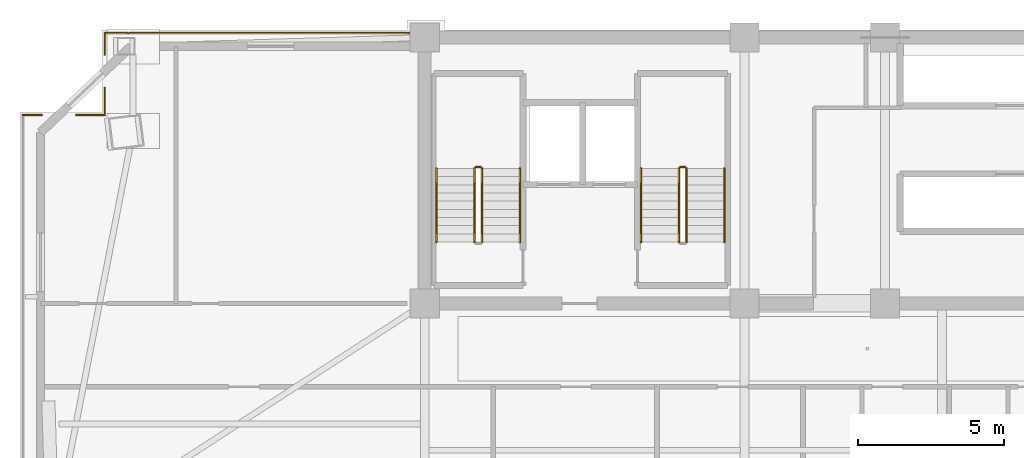
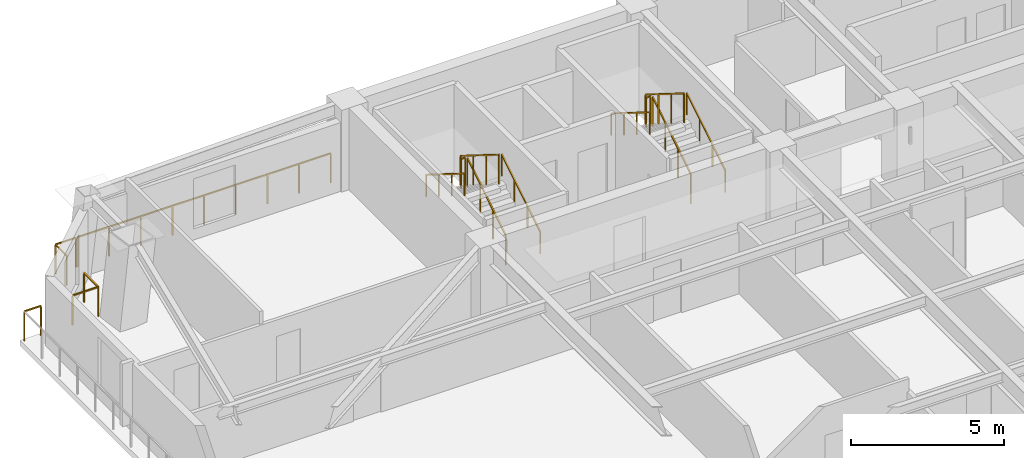
# One storey, part 15 of 16: 16 railings.
"""IFC4 building model written with IfcOpenShell, lengths in metres."""

from ifc_helpers import new_model, si_unit, direction, frame, origin, origin_2d, place, context, subcontext, project, spatial, rectangle, extrude, material, type_object, element, save


model = new_model("IFC4")

# Units and contexts
model_context = context("Model", 3, precision=1e-05, world=origin(), true_north=direction((0.0, 1.0)))
body_context = subcontext(model_context, "Body", "Model", "MODEL_VIEW")
ifc_project = project(units=[si_unit("LENGTHUNIT", "METRE"), si_unit("AREAUNIT", "SQUARE_METRE"), si_unit("VOLUMEUNIT", "CUBIC_METRE"), si_unit("PLANEANGLEUNIT", "RADIAN"), si_unit("MASSUNIT", "GRAM", prefix="KILO")], contexts=[model_context])

# Site, building, storey
site_placement = place(None, origin())
site = spatial("IfcSite", under=ifc_project, at=site_placement, CompositionType="ELEMENT")
building_placement = place(site_placement, origin())
building = spatial("IfcBuilding", under=site, at=building_placement, Name="Giltprow Tower", CompositionType="ELEMENT")
storey_placement = place(building_placement, frame((0.0, 0.0, 209.699951171875)))
storey = spatial("IfcBuildingStorey", under=building, at=storey_placement, Name="L53", CompositionType="ELEMENT", Elevation=209.699951171875)

# Railings
ifc_material = material(Name="Anodized bronze", Category="metal")
railing_type_1 = type_object("IfcRailingType", Name="RAIL-BALC-GUARD-1200", PredefinedType="BALUSTRADE", material=ifc_material)
railing_1_placement = place(storey_placement, frame((6.10302734375, 43.89990234375, 0.0)))
element("IfcRailing", 1, at=railing_1_placement, inside=storey, type_object=railing_type_1, Name="L53 Corner Apron Edge Balustrade 14", PredefinedType="BALUSTRADE", context=body_context, shape_type="SweptSolid", body=[
    extrude(rectangle(XDim=0.048095703125, YDim=0.048095703125, at=origin_2d()), frame((0.0, 0.0, 1.17578125), z_axis=(1.0, 0.0, 0.0), x_axis=(0.0, 1.0, 0.0)), (0.0, 0.0, 1.0), 0.635986328125),
    extrude(rectangle(XDim=0.0419921875, YDim=0.0419921875, at=origin_2d()), origin(), (0.0, 0.0, 1.0), 1.15185546875),
    extrude(rectangle(XDim=0.0419921875, YDim=0.0419921875, at=origin_2d()), frame((0.635986328125, 0.0, 0.0)), (0.0, 0.0, 1.0), 1.15185546875),
])
railing_2_placement = place(storey_placement, frame((7.927978515625, 43.89990234375, 0.0)))
element("IfcRailing", 2, at=railing_2_placement, inside=storey, type_object=railing_type_1, Name="L53 Corner Apron Edge Balustrade 15", PredefinedType="BALUSTRADE", context=body_context, shape_type="SweptSolid", body=[
    extrude(rectangle(XDim=0.048095703125, YDim=0.048095703125, at=origin_2d()), frame((0.0, 0.0, 1.17578125), z_axis=(1.0, 0.0, 0.0), x_axis=(0.0, 1.0, 0.0)), (0.0, 0.0, 1.0), 0.97509765625),
    extrude(rectangle(XDim=0.0419921875, YDim=0.0419921875, at=origin_2d()), origin(), (0.0, 0.0, 1.0), 1.15185546875),
    extrude(rectangle(XDim=0.0419921875, YDim=0.0419921875, at=origin_2d()), frame((0.97509765625, 0.0, 0.0)), (0.0, 0.0, 1.0), 1.15185546875),
])
railing_3_placement = place(storey_placement, frame((8.903076171875, 43.89990234375, 0.0)))
element("IfcRailing", 3, at=railing_3_placement, inside=storey, type_object=railing_type_1, Name="L53 Corner Apron Edge Balustrade 16", PredefinedType="BALUSTRADE", context=body_context, shape_type="SweptSolid", body=[
    extrude(rectangle(XDim=0.048095703125, YDim=0.048095703125, at=origin_2d()), frame((0.0, 0.0, 1.17578125), z_axis=(0.0, 1.0, 0.0), x_axis=(-1.0, 0.0, 0.0)), (0.0, 0.0, 1.0), 0.927978515625),
    extrude(rectangle(XDim=0.0419921875, YDim=0.0419921875, at=origin_2d()), origin(), (0.0, 0.0, 1.0), 1.15185546875),
    extrude(rectangle(XDim=0.0419921875, YDim=0.0419921875, at=origin_2d()), frame((0.0, 0.927978515625, 0.0)), (0.0, 0.0, 1.0), 1.15185546875),
])
railing_4_placement = place(storey_placement, frame((8.903076171875, 45.9599609375, 0.0)))
element("IfcRailing", 4, at=railing_4_placement, inside=storey, type_object=railing_type_1, Name="L53 Corner Apron Edge Balustrade 17", PredefinedType="BALUSTRADE", context=body_context, shape_type="SweptSolid", body=[
    extrude(rectangle(XDim=0.048095703125, YDim=0.048095703125, at=origin_2d()), frame((0.0, 0.0, 1.17578125), z_axis=(0.0, 1.0, 0.0), x_axis=(-1.0, 0.0, 0.0)), (0.0, 0.0, 1.0), 0.739990234375),
    extrude(rectangle(XDim=0.0419921875, YDim=0.0419921875, at=origin_2d()), origin(), (0.0, 0.0, 1.0), 1.15185546875),
    extrude(rectangle(XDim=0.0419921875, YDim=0.0419921875, at=origin_2d()), frame((0.0, 0.739990234375, 0.0)), (0.0, 0.0, 1.0), 1.15185546875),
])
railing_5_placement = place(storey_placement, frame((8.903076171875, 46.699951171875, 0.0)))
element("IfcRailing", 5, at=railing_5_placement, inside=storey, type_object=railing_type_1, Name="L53 Corner Apron Edge Balustrade 18", PredefinedType="BALUSTRADE", context=body_context, shape_type="SweptSolid", body=[
    extrude(rectangle(XDim=0.048095703125, YDim=0.048095703125, at=origin_2d()), frame((0.0, 0.0, 1.17578125), z_axis=(1.0, 0.0, 0.0), x_axis=(0.0, 1.0, 0.0)), (0.0, 0.0, 1.0), 0.77783203125),
    extrude(rectangle(XDim=0.0419921875, YDim=0.0419921875, at=origin_2d()), origin(), (0.0, 0.0, 1.0), 1.15185546875),
    extrude(rectangle(XDim=0.0419921875, YDim=0.0419921875, at=origin_2d()), frame((0.77783203125, 0.0, 0.0)), (0.0, 0.0, 1.0), 1.15185546875),
])
railing_6_placement = place(storey_placement, frame((9.73388671875, 46.699951171875, 0.0)))
element("IfcRailing", 6, at=railing_6_placement, inside=storey, type_object=railing_type_1, Name="L53 Corner Apron Edge Balustrade 19", PredefinedType="BALUSTRADE", context=body_context, shape_type="SweptSolid", body=[
    extrude(rectangle(XDim=0.048095703125, YDim=0.048095703125, at=origin_2d()), frame((0.0, 0.0, 1.17578125), z_axis=(1.0, 0.0, 0.0), x_axis=(0.0, 1.0, 0.0)), (0.0, 0.0, 1.0), 9.5810546875),
    extrude(rectangle(XDim=0.0419921875, YDim=0.0419921875, at=origin_2d()), origin(), (0.0, 0.0, 1.0), 1.15185546875),
    extrude(rectangle(XDim=0.0419921875, YDim=0.0419921875, at=origin_2d()), frame((1.19775390625, 0.0, 0.0)), (0.0, 0.0, 1.0), 1.15185546875),
    extrude(rectangle(XDim=0.0419921875, YDim=0.0419921875, at=origin_2d()), frame((2.395263671875, 0.0, 0.0)), (0.0, 0.0, 1.0), 1.15185546875),
    extrude(rectangle(XDim=0.0419921875, YDim=0.0419921875, at=origin_2d()), frame((3.5927734375, 0.0, 0.0)), (0.0, 0.0, 1.0), 1.15185546875),
    extrude(rectangle(XDim=0.0419921875, YDim=0.0419921875, at=origin_2d()), frame((4.79052734375, 0.0, 0.0)), (0.0, 0.0, 1.0), 1.15185546875),
    extrude(rectangle(XDim=0.0419921875, YDim=0.0419921875, at=origin_2d()), frame((5.98828125, 0.0, 0.0)), (0.0, 0.0, 1.0), 1.15185546875),
    extrude(rectangle(XDim=0.0419921875, YDim=0.0419921875, at=origin_2d()), frame((7.185791015625, 0.0, 0.0)), (0.0, 0.0, 1.0), 1.15185546875),
    extrude(rectangle(XDim=0.0419921875, YDim=0.0419921875, at=origin_2d()), frame((8.38330078125, 0.0, 0.0)), (0.0, 0.0, 1.0), 1.15185546875),
    extrude(rectangle(XDim=0.0419921875, YDim=0.0419921875, at=origin_2d()), frame((9.5810546875, 0.0, 0.0)), (0.0, 0.0, 1.0), 1.15185546875),
])
railing_type_2 = type_object("IfcRailingType", Name="RAIL-STAIR-GUARD-1200", PredefinedType="GUARDRAIL", material=ifc_material)
railing_7_placement = place(storey_placement, frame((21.81005859375, 39.550048828125, 0.175048828125)))
element("IfcRailing", 7, at=railing_7_placement, inside=storey, type_object=railing_type_2, Name="L53 ST-1 stair guard 1", PredefinedType="GUARDRAIL", context=body_context, shape_type="SweptSolid", body=[
    extrude(rectangle(XDim=0.048095703125, YDim=0.048095703125, at=origin_2d()), frame((0.0, 0.0, 1.17578125), z_axis=(0.0, 0.848007534815, 0.529984170421), x_axis=(-1.0, 0.0, 0.0)), (0.0, 0.0, 1.0), 2.9716796875),
    extrude(rectangle(XDim=0.0419921875, YDim=0.0419921875, at=origin_2d()), origin(), (0.0, 0.0, 1.0), 1.15185546875),
    extrude(rectangle(XDim=0.0419921875, YDim=0.0419921875, at=origin_2d()), frame((0.0, 0.840087890625, 0.52490234375)), (0.0, 0.0, 1.0), 1.15185546875),
    extrude(rectangle(XDim=0.0419921875, YDim=0.0419921875, at=origin_2d()), frame((0.0, 1.679931640625, 1.050048828125)), (0.0, 0.0, 1.0), 1.15185546875),
    extrude(rectangle(XDim=0.0419921875, YDim=0.0419921875, at=origin_2d()), frame((0.0, 2.52001953125, 1.574951171875)), (0.0, 0.0, 1.0), 1.15185546875),
])
railing_8_placement = place(storey_placement, frame((21.760009765625, 42.1201171875, 1.75)))
element("IfcRailing", 8, at=railing_8_placement, inside=storey, type_object=railing_type_2, Name="L53 ST-1 stair guard 2", PredefinedType="GUARDRAIL", context=body_context, shape_type="SweptSolid", body=[
    extrude(rectangle(XDim=0.048095703125, YDim=0.048095703125, at=origin_2d()), frame((0.0, 0.0, 1.17578125), z_axis=(-1.0, 0.0, 0.0), x_axis=(0.0, -1.0, 0.0)), (0.0, 0.0, 1.0), 0.159912109375),
    extrude(rectangle(XDim=0.0419921875, YDim=0.0419921875, at=origin_2d()), origin(), (0.0, 0.0, 1.0), 1.15185546875),
    extrude(rectangle(XDim=0.0419921875, YDim=0.0419921875, at=origin_2d()), frame((-0.159912109375, 0.0, 0.0)), (0.0, 0.0, 1.0), 1.15185546875),
])
railing_9_placement = place(storey_placement, frame((21.550048828125, 42.070068359375, 1.925048828125)))
element("IfcRailing", 9, at=railing_9_placement, inside=storey, type_object=railing_type_2, Name="L53 ST-1 stair guard 3", PredefinedType="GUARDRAIL", context=body_context, shape_type="SweptSolid", body=[
    extrude(rectangle(XDim=0.048095703125, YDim=0.048095703125, at=origin_2d()), frame((0.0, 0.0, 1.17578125), z_axis=(0.0, -0.848007534815, 0.529984170421), x_axis=(1.0, 0.0, 0.0)), (0.0, 0.0, 1.0), 2.9716796875),
    extrude(rectangle(XDim=0.0419921875, YDim=0.0419921875, at=origin_2d()), origin(), (0.0, 0.0, 1.0), 1.15185546875),
    extrude(rectangle(XDim=0.0419921875, YDim=0.0419921875, at=origin_2d()), frame((0.0, -0.840087890625, 0.52490234375)), (0.0, 0.0, 1.0), 1.15185546875),
    extrude(rectangle(XDim=0.0419921875, YDim=0.0419921875, at=origin_2d()), frame((0.0, -1.679931640625, 1.050048828125)), (0.0, 0.0, 1.0), 1.15185546875),
    extrude(rectangle(XDim=0.0419921875, YDim=0.0419921875, at=origin_2d()), frame((0.0, -2.52001953125, 1.574951171875)), (0.0, 0.0, 1.0), 1.15185546875),
])
railing_10_placement = place(storey_placement, frame((28.81005859375, 39.550048828125, 0.175048828125)))
element("IfcRailing", 10, at=railing_10_placement, inside=storey, type_object=railing_type_2, Name="L53 ST-2 stair guard 1", PredefinedType="GUARDRAIL", context=body_context, shape_type="SweptSolid", body=[
    extrude(rectangle(XDim=0.048095703125, YDim=0.048095703125, at=origin_2d()), frame((0.0, 0.0, 1.17578125), z_axis=(0.0, 0.848007534815, 0.529984170421), x_axis=(-1.0, 0.0, 0.0)), (0.0, 0.0, 1.0), 2.9716796875),
    extrude(rectangle(XDim=0.0419921875, YDim=0.0419921875, at=origin_2d()), origin(), (0.0, 0.0, 1.0), 1.15185546875),
    extrude(rectangle(XDim=0.0419921875, YDim=0.0419921875, at=origin_2d()), frame((0.0, 0.840087890625, 0.52490234375)), (0.0, 0.0, 1.0), 1.15185546875),
    extrude(rectangle(XDim=0.0419921875, YDim=0.0419921875, at=origin_2d()), frame((0.0, 1.679931640625, 1.050048828125)), (0.0, 0.0, 1.0), 1.15185546875),
    extrude(rectangle(XDim=0.0419921875, YDim=0.0419921875, at=origin_2d()), frame((0.0, 2.52001953125, 1.574951171875)), (0.0, 0.0, 1.0), 1.15185546875),
])
railing_11_placement = place(storey_placement, frame((28.760009765625, 42.1201171875, 1.75)))
element("IfcRailing", 11, at=railing_11_placement, inside=storey, type_object=railing_type_2, Name="L53 ST-2 stair guard 2", PredefinedType="GUARDRAIL", context=body_context, shape_type="SweptSolid", body=[
    extrude(rectangle(XDim=0.048095703125, YDim=0.048095703125, at=origin_2d()), frame((0.0, 0.0, 1.17578125), z_axis=(-1.0, 0.0, 0.0), x_axis=(0.0, -1.0, 0.0)), (0.0, 0.0, 1.0), 0.159912109375),
    extrude(rectangle(XDim=0.0419921875, YDim=0.0419921875, at=origin_2d()), origin(), (0.0, 0.0, 1.0), 1.15185546875),
    extrude(rectangle(XDim=0.0419921875, YDim=0.0419921875, at=origin_2d()), frame((-0.159912109375, 0.0, 0.0)), (0.0, 0.0, 1.0), 1.15185546875),
])
railing_12_placement = place(storey_placement, frame((28.550048828125, 42.070068359375, 1.925048828125)))
element("IfcRailing", 12, at=railing_12_placement, inside=storey, type_object=railing_type_2, Name="L53 ST-2 stair guard 3", PredefinedType="GUARDRAIL", context=body_context, shape_type="SweptSolid", body=[
    extrude(rectangle(XDim=0.048095703125, YDim=0.048095703125, at=origin_2d()), frame((0.0, 0.0, 1.17578125), z_axis=(0.0, -0.848007534815, 0.529984170421), x_axis=(1.0, 0.0, 0.0)), (0.0, 0.0, 1.0), 2.9716796875),
    extrude(rectangle(XDim=0.0419921875, YDim=0.0419921875, at=origin_2d()), origin(), (0.0, 0.0, 1.0), 1.15185546875),
    extrude(rectangle(XDim=0.0419921875, YDim=0.0419921875, at=origin_2d()), frame((0.0, -0.840087890625, 0.52490234375)), (0.0, 0.0, 1.0), 1.15185546875),
    extrude(rectangle(XDim=0.0419921875, YDim=0.0419921875, at=origin_2d()), frame((0.0, -1.679931640625, 1.050048828125)), (0.0, 0.0, 1.0), 1.15185546875),
    extrude(rectangle(XDim=0.0419921875, YDim=0.0419921875, at=origin_2d()), frame((0.0, -2.52001953125, 1.574951171875)), (0.0, 0.0, 1.0), 1.15185546875),
])
railing_type_3 = type_object("IfcRailingType", Name="RAIL-STAIR-HAND-900", PredefinedType="HANDRAIL", material=ifc_material)
railing_13_placement = place(storey_placement, frame((23.110107421875, 39.550048828125, 0.175048828125)))
element("IfcRailing", 13, at=railing_13_placement, inside=storey, type_object=railing_type_3, Name="L53 ST-1 stair handrail 1", PredefinedType="HANDRAIL", context=body_context, shape_type="SweptSolid", body=[
    extrude(rectangle(XDim=0.048095703125, YDim=0.048095703125, at=origin_2d()), frame((0.0, 0.0, 0.8759765625), z_axis=(0.0, 0.848007534815, 0.529984170421), x_axis=(-1.0, 0.0, 0.0)), (0.0, 0.0, 1.0), 2.9716796875),
    extrude(rectangle(XDim=0.0419921875, YDim=0.0419921875, at=origin_2d()), origin(), (0.0, 0.0, 1.0), 0.851806640625),
    extrude(rectangle(XDim=0.0419921875, YDim=0.0419921875, at=origin_2d()), frame((0.0, 0.840087890625, 0.52490234375)), (0.0, 0.0, 1.0), 0.851806640625),
    extrude(rectangle(XDim=0.0419921875, YDim=0.0419921875, at=origin_2d()), frame((0.0, 1.679931640625, 1.050048828125)), (0.0, 0.0, 1.0), 0.851806640625),
    extrude(rectangle(XDim=0.0419921875, YDim=0.0419921875, at=origin_2d()), frame((0.0, 2.52001953125, 1.574951171875)), (0.0, 0.0, 1.0), 0.851806640625),
])
railing_14_placement = place(storey_placement, frame((20.25, 42.070068359375, 1.925048828125)))
element("IfcRailing", 14, at=railing_14_placement, inside=storey, type_object=railing_type_3, Name="L53 ST-1 stair handrail 2", PredefinedType="HANDRAIL", context=body_context, shape_type="SweptSolid", body=[
    extrude(rectangle(XDim=0.048095703125, YDim=0.048095703125, at=origin_2d()), frame((0.0, 0.0, 0.8759765625), z_axis=(0.0, -0.848007534815, 0.529984170421), x_axis=(1.0, 0.0, 0.0)), (0.0, 0.0, 1.0), 2.9716796875),
    extrude(rectangle(XDim=0.0419921875, YDim=0.0419921875, at=origin_2d()), origin(), (0.0, 0.0, 1.0), 0.851806640625),
    extrude(rectangle(XDim=0.0419921875, YDim=0.0419921875, at=origin_2d()), frame((0.0, -0.840087890625, 0.52490234375)), (0.0, 0.0, 1.0), 0.851806640625),
    extrude(rectangle(XDim=0.0419921875, YDim=0.0419921875, at=origin_2d()), frame((0.0, -1.679931640625, 1.050048828125)), (0.0, 0.0, 1.0), 0.851806640625),
    extrude(rectangle(XDim=0.0419921875, YDim=0.0419921875, at=origin_2d()), frame((0.0, -2.52001953125, 1.574951171875)), (0.0, 0.0, 1.0), 0.851806640625),
])
railing_15_placement = place(storey_placement, frame((30.110107421875, 39.550048828125, 0.175048828125)))
element("IfcRailing", 15, at=railing_15_placement, inside=storey, type_object=railing_type_3, Name="L53 ST-2 stair handrail 1", PredefinedType="HANDRAIL", context=body_context, shape_type="SweptSolid", body=[
    extrude(rectangle(XDim=0.048095703125, YDim=0.048095703125, at=origin_2d()), frame((0.0, 0.0, 0.8759765625), z_axis=(0.0, 0.848007534815, 0.529984170421), x_axis=(-1.0, 0.0, 0.0)), (0.0, 0.0, 1.0), 2.9716796875),
    extrude(rectangle(XDim=0.0419921875, YDim=0.0419921875, at=origin_2d()), origin(), (0.0, 0.0, 1.0), 0.851806640625),
    extrude(rectangle(XDim=0.0419921875, YDim=0.0419921875, at=origin_2d()), frame((0.0, 0.840087890625, 0.52490234375)), (0.0, 0.0, 1.0), 0.851806640625),
    extrude(rectangle(XDim=0.0419921875, YDim=0.0419921875, at=origin_2d()), frame((0.0, 1.679931640625, 1.050048828125)), (0.0, 0.0, 1.0), 0.851806640625),
    extrude(rectangle(XDim=0.0419921875, YDim=0.0419921875, at=origin_2d()), frame((0.0, 2.52001953125, 1.574951171875)), (0.0, 0.0, 1.0), 0.851806640625),
])
railing_16_placement = place(storey_placement, frame((27.25, 42.070068359375, 1.925048828125)))
element("IfcRailing", 16, at=railing_16_placement, inside=storey, type_object=railing_type_3, Name="L53 ST-2 stair handrail 2", PredefinedType="HANDRAIL", context=body_context, shape_type="SweptSolid", body=[
    extrude(rectangle(XDim=0.048095703125, YDim=0.048095703125, at=origin_2d()), frame((0.0, 0.0, 0.8759765625), z_axis=(0.0, -0.848007534815, 0.529984170421), x_axis=(1.0, 0.0, 0.0)), (0.0, 0.0, 1.0), 2.9716796875),
    extrude(rectangle(XDim=0.0419921875, YDim=0.0419921875, at=origin_2d()), origin(), (0.0, 0.0, 1.0), 0.851806640625),
    extrude(rectangle(XDim=0.0419921875, YDim=0.0419921875, at=origin_2d()), frame((0.0, -0.840087890625, 0.52490234375)), (0.0, 0.0, 1.0), 0.851806640625),
    extrude(rectangle(XDim=0.0419921875, YDim=0.0419921875, at=origin_2d()), frame((0.0, -1.679931640625, 1.050048828125)), (0.0, 0.0, 1.0), 0.851806640625),
    extrude(rectangle(XDim=0.0419921875, YDim=0.0419921875, at=origin_2d()), frame((0.0, -2.52001953125, 1.574951171875)), (0.0, 0.0, 1.0), 0.851806640625),
])

save(model, "model.ifc")
